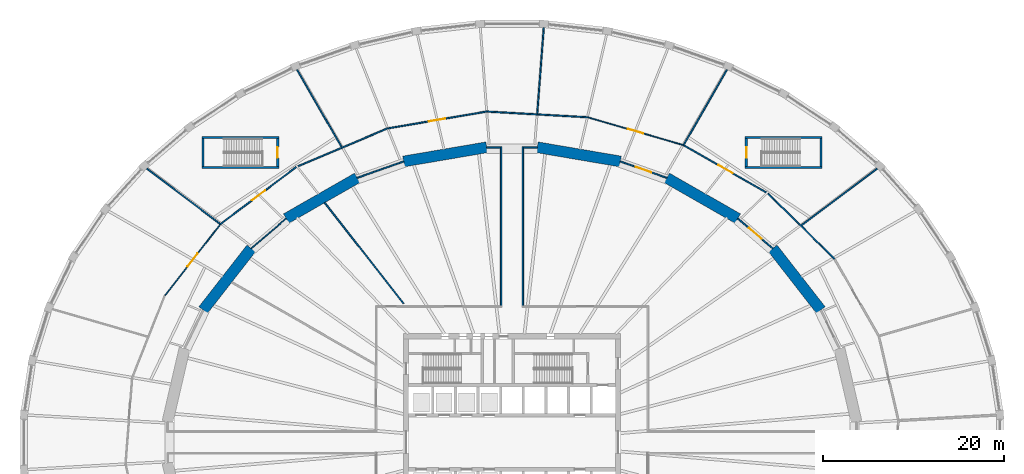
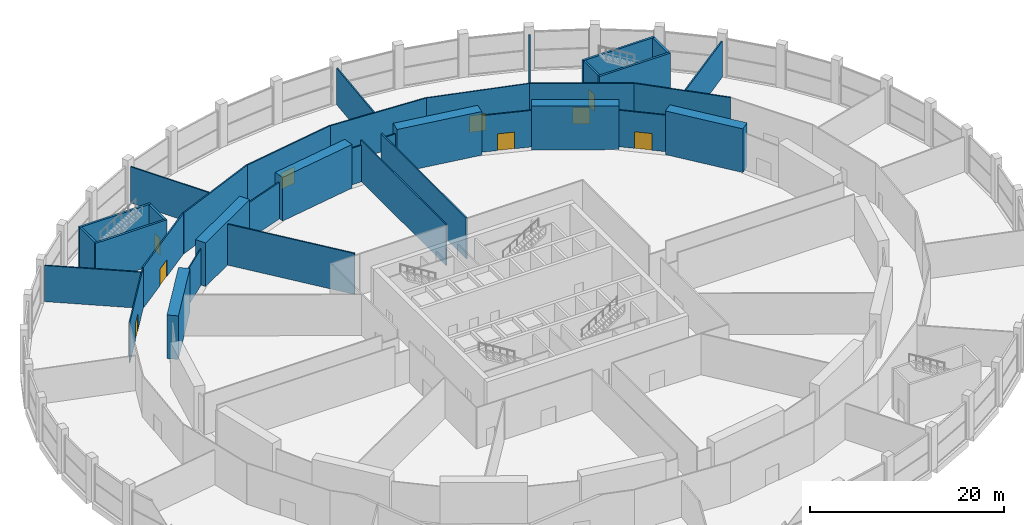
# One storey, part 25 of 29: 36 walls, 9 doors, 9 openings.
"""IFC4 building model written with IfcOpenShell, lengths in metres."""

from ifc_helpers import new_model, si_unit, direction, frame, frame_2d, origin, place, context, subcontext, project, spatial, polyline, rectangle, outline, extrude, material, layer, layer_set, type_object, element, fill, save


model = new_model("IFC4")

# Units and contexts
model_context = context("Model", 3, precision=1e-05, world=origin(), true_north=direction((0.0, 1.0)))
body_context = subcontext(model_context, "Body", "Model", "MODEL_VIEW")
ifc_project = project(units=[si_unit("LENGTHUNIT", "METRE"), si_unit("AREAUNIT", "SQUARE_METRE"), si_unit("VOLUMEUNIT", "CUBIC_METRE"), si_unit("PLANEANGLEUNIT", "RADIAN"), si_unit("MASSUNIT", "GRAM", prefix="KILO")], contexts=[model_context])

# Site, building, storey
site_placement = place(None, origin())
site = spatial("IfcSite", under=ifc_project, at=site_placement, CompositionType="ELEMENT")
building_placement = place(site_placement, origin())
building = spatial("IfcBuilding", under=site, at=building_placement, Name="Halqa Exchange Tower", CompositionType="ELEMENT")
storey_placement = place(building_placement, frame((0.0, 0.0, 7.0)))
storey = spatial("IfcBuildingStorey", under=building, at=storey_placement, Name="L01", CompositionType="ELEMENT", Elevation=7.0)

# Wall
ifc_material_1 = material(Name="Fire-rated gypsum board")
ifc_layer_1 = layer(ifc_material_1, 0.14990234375)
ifc_layer_set_1 = layer_set([ifc_layer_1], Name="Fire-rated gypsum board")
wall_type_1 = type_object("IfcWallType", Name="Fire partition EI 60 150", PredefinedType="PARTITIONING", material=ifc_layer_set_1)
wall_1_placement = place(storey_placement, frame((-40.337646484375, 30.225341796875, 0.0), z_axis=(0.0, 0.0, 1.0), x_axis=(0.79878223103, -0.601620268435, 0.0)))
element("IfcWall", 1, at=wall_1_placement, inside=storey, type_object=wall_type_1, Name="L01-PWL-005", PredefinedType="PARTITIONING", context=body_context, shape_type="SweptSolid", body=[
    extrude(outline(polyline([(-0.011474609375, -0.074951171875), (10.117919921875, -0.074951171875), (10.117919921875, 0.074951171875), (0.011474609375, 0.074951171875), (-0.011474609375, -0.074951171875)])), origin(), (0.0, 0.0, 1.0), 4.550048828125),
])

# Wall, opening, door
wall_2_placement = place(storey_placement, frame((-32.22509765625, 24.068603515625, 0.0), z_axis=(0.0, 0.0, 1.0), x_axis=(0.799199975682, 0.601065220147, 0.0)))
wall_2 = element("IfcWall", 2, at=wall_2_placement, inside=storey, type_object=wall_type_1, Name="L01-PWL-016", PredefinedType="PARTITIONING", context=body_context, shape_type="SweptSolid", body=[
    extrude(rectangle(XDim=10.665771484375, YDim=0.14990234375, at=frame_2d((5.3330078125, 0.0))), origin(), (0.0, 0.0, 1.0), 5.14990234375),
])
opening_1_placement = place(wall_2_placement, frame((4.41796875, 0.0, 0.0)))
opening_1 = element("IfcOpeningElement", 3, at=opening_1_placement, cuts=wall_2, Name="Opening L01-15", PredefinedType="OPENING", context=body_context, shape_type="SweptSolid", body=[
    extrude(rectangle(XDim=1.800048828125, YDim=2.10009765625, at=frame_2d((0.89990234375, 1.050048828125))), frame((0.0, 0.0869140625, 0.0), z_axis=(0.0, -1.0, 0.0), x_axis=(1.0, 0.0, 0.0)), (0.0, 0.0, 1.0), 0.173828125),
])
ifc_material_2 = material(Name="Steel fire door leaf", Category="steel")
door_type_1 = type_object("IfcDoorType", Name="Fire door FD30S double 1800 x 2100", OperationType="DOUBLE_DOOR_SINGLE_SWING", PredefinedType="DOOR", material=ifc_material_2)
door_1_placement = place(opening_1_placement, origin())
door_1 = element("IfcDoor", 4, at=door_1_placement, inside=storey, type_object=door_type_1, Name="L01-IDR-015", OperationType="DOUBLE_DOOR_SINGLE_SWING", OverallHeight=2.10009765625, OverallWidth=1.800048828125, PredefinedType="DOOR", context=body_context, shape_type="SweptSolid", body=[
    extrude(rectangle(XDim=1.800048828125, YDim=2.10009765625, at=frame_2d((0.89990234375, 1.050048828125))), frame((0.0, 0.02490234375, 0.0), z_axis=(0.0, -1.0, 0.0), x_axis=(1.0, 0.0, 0.0)), (0.0, 0.0, 1.0), 0.050048828125),
])
fill(opening_1, door_1)

# Walls
wall_3_placement = place(storey_placement, frame((-23.6865234375, 30.45947265625, 0.0), z_axis=(0.0, 0.0, 1.0), x_axis=(0.921275306177, 0.388911056964, 0.0)))
element("IfcWall", 5, at=wall_3_placement, inside=storey, type_object=wall_type_1, Name="L01-PWL-020", PredefinedType="PARTITIONING", context=body_context, shape_type="SweptSolid", body=[
    extrude(rectangle(XDim=10.873291015625, YDim=0.14990234375, at=frame_2d((5.4365234375, 0.0))), origin(), (0.0, 0.0, 1.0), 5.14990234375),
])
wall_4_placement = place(storey_placement, frame((-23.7451171875, 41.150390625, 0.0), z_axis=(0.0, 0.0, 1.0), x_axis=(0.499854452602, -0.866109419308, 0.0)))
element("IfcWall", 6, at=wall_4_placement, inside=storey, type_object=wall_type_1, Name="L01-PWL-021", PredefinedType="PARTITIONING", context=body_context, shape_type="SweptSolid", body=[
    extrude(outline(polyline([(-0.00927734375, -0.074951171875), (9.8642578125, -0.074951171875), (9.8828125, 0.074951171875), (0.00927734375, 0.074951171875), (-0.00927734375, -0.074951171875)])), origin(), (0.0, 0.0, 1.0), 4.550048828125),
])
wall_5_placement = place(storey_placement, frame((-20.679931640625, 26.449951171875, 0.0), z_axis=(0.0, 0.0, 1.0), x_axis=(0.616462106178, -0.787384576714, 0.0)))
element("IfcWall", 7, at=wall_5_placement, inside=storey, type_object=wall_type_1, Name="L01-PWL-023", PredefinedType="PARTITIONING", context=body_context, shape_type="SweptSolid", body=[
    extrude(outline(polyline([(-0.010986328125, -0.074951171875), (14.119384765625, -0.074951171875), (14.119384765625, 0.074951171875), (0.010986328125, 0.074951171875), (-0.010986328125, -0.074951171875)])), origin(), (0.0, 0.0, 1.0), 5.14990234375),
])

# Wall, opening, door
wall_6_placement = place(storey_placement, frame((-13.660888671875, 34.6669921875, 0.0), z_axis=(0.0, 0.0, 1.0), x_axis=(0.985756237299, 0.168180381217, 0.0)))
wall_6 = element("IfcWall", 8, at=wall_6_placement, inside=storey, type_object=wall_type_1, Name="L01-PWL-034", PredefinedType="PARTITIONING", context=body_context, shape_type="SweptSolid", body=[
    extrude(rectangle(XDim=11.115234375, YDim=0.14990234375, at=frame_2d((5.5576171875, 0.0))), origin(), (0.0, 0.0, 1.0), 5.14990234375),
])
opening_2_placement = place(wall_6_placement, frame((4.55859375, 0.0, 0.0)))
opening_2 = element("IfcOpeningElement", 9, at=opening_2_placement, cuts=wall_6, Name="Opening L01-21", PredefinedType="OPENING", context=body_context, shape_type="SweptSolid", body=[
    extrude(rectangle(XDim=1.800048828125, YDim=2.10009765625, at=frame_2d((0.89990234375, 1.050048828125))), frame((0.0, 0.0869140625, 0.0), z_axis=(0.0, -1.0, 0.0), x_axis=(1.0, 0.0, 0.0)), (0.0, 0.0, 1.0), 0.173828125),
])
door_2_placement = place(opening_2_placement, origin())
door_2 = element("IfcDoor", 10, at=door_2_placement, inside=storey, type_object=door_type_1, Name="L01-IDR-021", OperationType="DOUBLE_DOOR_SINGLE_SWING", OverallHeight=2.10009765625, OverallWidth=1.800048828125, PredefinedType="DOOR", context=body_context, shape_type="SweptSolid", body=[
    extrude(rectangle(XDim=1.800048828125, YDim=2.10009765625, at=frame_2d((0.89990234375, 1.050048828125))), frame((0.0, 0.02490234375, 0.0), z_axis=(0.0, -1.0, 0.0), x_axis=(1.0, 0.0, 0.0)), (0.0, 0.0, 1.0), 0.050048828125),
])
fill(opening_2, door_2)

# Walls
wall_7_placement = place(storey_placement, frame((-11.966796875, 31.01123046875, 0.0), z_axis=(0.0, 0.0, 1.0), x_axis=(-0.942814385805, -0.333318217204, 0.0)))
element("IfcWall", 11, at=wall_7_placement, inside=storey, type_object=wall_type_1, Name="L01-PWL-035", PredefinedType="PARTITIONING", context=body_context, shape_type="SweptSolid", body=[
    extrude(outline(polyline([(-0.012939453125, -0.074951171875), (5.448486328125, -0.074951171875), (5.421142578125, 0.074951171875), (0.012939453125, 0.074951171875), (-0.012939453125, -0.074951171875)])), origin(), (0.0, 0.0, 1.0), 4.60009765625),
])
wall_8_placement = place(storey_placement, frame((-2.70068359375, 36.514404296875, 0.0), z_axis=(0.0, 0.0, 1.0), x_axis=(0.998408109845, -0.056402537138, 0.0)))
element("IfcWall", 12, at=wall_8_placement, inside=storey, type_object=wall_type_1, Name="L01-PWL-040", PredefinedType="PARTITIONING", context=body_context, shape_type="SweptSolid", body=[
    extrude(rectangle(XDim=11.150390625, YDim=0.14990234375, at=frame_2d((5.5751953125, 0.0))), origin(), (0.0, 0.0, 1.0), 5.14990234375),
])
wall_9_placement = place(storey_placement, frame((-1.199951171875, 15.074951171875, 0.0), z_axis=(0.0, 0.0, 1.0), x_axis=(0.0, 1.0, 0.0)))
element("IfcWall", 13, at=wall_9_placement, inside=storey, type_object=wall_type_1, Name="L01-PWL-045", PredefinedType="PARTITIONING", context=body_context, shape_type="SweptSolid", body=[
    extrude(rectangle(XDim=17.570068359375, YDim=0.14990234375, at=frame_2d((8.78515625, 0.0))), origin(), (0.0, 0.0, 1.0), 5.14990234375),
])
wall_10_placement = place(storey_placement, frame((-1.27490234375, 32.570068359375, 0.0), z_axis=(0.0, 0.0, 1.0), x_axis=(-1.0, 0.0, 0.0)))
element("IfcWall", 14, at=wall_10_placement, inside=storey, type_object=wall_type_1, Name="L01-PWL-046", PredefinedType="PARTITIONING", context=body_context, shape_type="SweptSolid", body=[
    extrude(outline(polyline([(0.0, -0.074951171875), (1.52587890625, -0.074951171875), (1.50048828125, 0.074951171875), (0.0, 0.074951171875), (0.0, -0.074951171875)])), origin(), (0.0, 0.0, 1.0), 4.60009765625),
])
wall_11_placement = place(storey_placement, frame((1.199951171875, 32.64501953125, 0.0), z_axis=(0.0, 0.0, 1.0), x_axis=(0.0, -1.0, 0.0)))
element("IfcWall", 15, at=wall_11_placement, inside=storey, type_object=wall_type_1, Name="L01-PWL-050", PredefinedType="PARTITIONING", context=body_context, shape_type="SweptSolid", body=[
    extrude(rectangle(XDim=17.570068359375, YDim=0.14990234375, at=frame_2d((8.78515625, 0.0))), origin(), (0.0, 0.0, 1.0), 5.14990234375),
])
wall_12_placement = place(storey_placement, frame((2.78515625, 36.27880859375, 0.0), z_axis=(0.0, 0.0, 1.0), x_axis=(0.075764074647, 0.997125771903, 0.0)))
element("IfcWall", 16, at=wall_12_placement, inside=storey, type_object=wall_type_1, Name="L01-PWL-051", PredefinedType="PARTITIONING", context=body_context, shape_type="SweptSolid", body=[
    extrude(rectangle(XDim=9.551025390625, YDim=0.14990234375, at=frame_2d((4.775390625, 0.0))), origin(), (0.0, 0.0, 1.0), 4.60009765625),
])
wall_13_placement = place(storey_placement, frame((2.7880859375, 32.570068359375, 0.0), z_axis=(0.0, 0.0, 1.0), x_axis=(-1.0, 0.0, 0.0)))
element("IfcWall", 17, at=wall_13_placement, inside=storey, type_object=wall_type_1, Name="L01-PWL-052", PredefinedType="PARTITIONING", context=body_context, shape_type="SweptSolid", body=[
    extrude(outline(polyline([(-0.0126953125, -0.074951171875), (1.51318359375, -0.074951171875), (1.51318359375, 0.074951171875), (0.0126953125, 0.074951171875), (-0.0126953125, -0.074951171875)])), origin(), (0.0, 0.0, 1.0), 4.60009765625),
])

# Wall, opening, door
wall_14_placement = place(storey_placement, frame((17.0908203125, 29.19970703125, 0.0), z_axis=(0.0, 0.0, 1.0), x_axis=(-0.942814385805, 0.333318217204, 0.0)))
wall_14 = element("IfcWall", 18, at=wall_14_placement, inside=storey, type_object=wall_type_1, Name="L01-PWL-064", PredefinedType="PARTITIONING", context=body_context, shape_type="SweptSolid", body=[
    extrude(outline(polyline([(-0.013671875, -0.074951171875), (5.44775390625, -0.074951171875), (5.421875, 0.074951171875), (0.013671875, 0.074951171875), (-0.013671875, -0.074951171875)])), origin(), (0.0, 0.0, 1.0), 4.60009765625),
])
opening_3_placement = place(wall_14_placement, frame((1.81640625, 0.0, 0.0)))
opening_3 = element("IfcOpeningElement", 19, at=opening_3_placement, cuts=wall_14, Name="Opening L01-04", PredefinedType="OPENING", context=body_context, shape_type="SweptSolid", body=[
    extrude(rectangle(XDim=1.800048828125, YDim=2.10009765625, at=frame_2d((0.89990234375, 1.050048828125))), frame((0.0, 0.0869140625, 0.0), z_axis=(0.0, -1.0, 0.0), x_axis=(1.0, 0.0, 0.0)), (0.0, 0.0, 1.0), 0.173828125),
])
door_3_placement = place(opening_3_placement, origin())
door_3 = element("IfcDoor", 20, at=door_3_placement, inside=storey, type_object=door_type_1, Name="L01-IDR-004", OperationType="DOUBLE_DOOR_SINGLE_SWING", OverallHeight=2.10009765625, OverallWidth=1.800048828125, PredefinedType="DOOR", context=body_context, shape_type="SweptSolid", body=[
    extrude(rectangle(XDim=1.800048828125, YDim=2.10009765625, at=frame_2d((0.89990234375, 1.050048828125))), frame((0.0, 0.02490234375, 0.0), z_axis=(0.0, -1.0, 0.0), x_axis=(1.0, 0.0, 0.0)), (0.0, 0.0, 1.0), 0.050048828125),
])
fill(opening_3, door_3)

# Wall
wall_15_placement = place(storey_placement, frame((18.944091796875, 32.81689453125, 0.0), z_axis=(0.0, 0.0, 1.0), x_axis=(0.499213998788, 0.866478726464, 0.0)))
element("IfcWall", 21, at=wall_15_placement, inside=storey, type_object=wall_type_1, Name="L01-PWL-065", PredefinedType="PARTITIONING", context=body_context, shape_type="SweptSolid", body=[
    extrude(outline(polyline([(0.0, -0.074951171875), (9.626953125, -0.074951171875), (9.6083984375, 0.074951171875), (0.0, 0.074951171875), (0.0, -0.074951171875)])), origin(), (0.0, 0.0, 1.0), 4.550048828125),
])

# Wall, opening, door
wall_16_placement = place(storey_placement, frame((18.941650390625, 32.80908203125, 0.0), z_axis=(0.0, 0.0, 1.0), x_axis=(0.867956168909, -0.49664080466, 0.0)))
wall_16 = element("IfcWall", 22, at=wall_16_placement, inside=storey, type_object=wall_type_1, Name="L01-PWL-066", PredefinedType="PARTITIONING", context=body_context, shape_type="SweptSolid", body=[
    extrude(rectangle(XDim=10.790283203125, YDim=0.14990234375, at=frame_2d((5.39501953125, 0.0))), origin(), (0.0, 0.0, 1.0), 5.14990234375),
])
opening_4_placement = place(wall_16_placement, frame((4.44384765625, 0.0, 0.0)))
opening_4 = element("IfcOpeningElement", 23, at=opening_4_placement, cuts=wall_16, Name="Opening L01-14", PredefinedType="OPENING", context=body_context, shape_type="SweptSolid", body=[
    extrude(rectangle(XDim=1.800048828125, YDim=2.10009765625, at=frame_2d((0.89990234375, 1.050048828125))), frame((0.0, 0.0869140625, 0.0), z_axis=(0.0, -1.0, 0.0), x_axis=(1.0, 0.0, 0.0)), (0.0, 0.0, 1.0), 0.173828125),
])
door_4_placement = place(opening_4_placement, origin())
door_4 = element("IfcDoor", 24, at=door_4_placement, inside=storey, type_object=door_type_1, Name="L01-IDR-014", OperationType="DOUBLE_DOOR_SINGLE_SWING", OverallHeight=2.10009765625, OverallWidth=1.800048828125, PredefinedType="DOOR", context=body_context, shape_type="SweptSolid", body=[
    extrude(rectangle(XDim=1.800048828125, YDim=2.10009765625, at=frame_2d((0.89990234375, 1.050048828125))), frame((0.0, 0.02490234375, 0.0), z_axis=(0.0, -1.0, 0.0), x_axis=(1.0, 0.0, 0.0)), (0.0, 0.0, 1.0), 0.050048828125),
])
fill(opening_4, door_4)

# Wall
wall_17_placement = place(storey_placement, frame((28.293701171875, 27.427978515625, 0.0), z_axis=(0.0, 0.0, 1.0), x_axis=(0.71483918539, -0.699288880958, 0.0)))
element("IfcWall", 25, at=wall_17_placement, inside=storey, type_object=wall_type_1, Name="L01-PWL-069", PredefinedType="PARTITIONING", context=body_context, shape_type="SweptSolid", body=[
    extrude(rectangle(XDim=10.283447265625, YDim=0.14990234375, at=frame_2d((5.1416015625, 0.0))), origin(), (0.0, 0.0, 1.0), 5.14990234375),
])

# Wall, opening, door
wall_18_placement = place(storey_placement, frame((28.789306640625, 21.41064453125, 0.0), z_axis=(0.0, 0.0, 1.0), x_axis=(-0.760084552743, 0.649824185978, 0.0)))
wall_18 = element("IfcWall", 26, at=wall_18_placement, inside=storey, type_object=wall_type_1, Name="L01-PWL-070", PredefinedType="PARTITIONING", context=body_context, shape_type="SweptSolid", body=[
    extrude(outline(polyline([(-0.015380859375, -0.074951171875), (5.089111328125, -0.074951171875), (5.060791015625, 0.074951171875), (0.015380859375, 0.074951171875), (-0.015380859375, -0.074951171875)])), origin(), (0.0, 0.0, 1.0), 4.60009765625),
])
opening_5_placement = place(wall_18_placement, frame((1.63818359375, 0.0, 0.0)))
opening_5 = element("IfcOpeningElement", 27, at=opening_5_placement, cuts=wall_18, Name="Opening L01-03", PredefinedType="OPENING", context=body_context, shape_type="SweptSolid", body=[
    extrude(rectangle(XDim=1.800048828125, YDim=2.10009765625, at=frame_2d((0.89990234375, 1.050048828125))), frame((0.0, 0.0869140625, 0.0), z_axis=(0.0, -1.0, 0.0), x_axis=(1.0, 0.0, 0.0)), (0.0, 0.0, 1.0), 0.173828125),
])
door_5_placement = place(opening_5_placement, origin())
door_5 = element("IfcDoor", 28, at=door_5_placement, inside=storey, type_object=door_type_1, Name="L01-IDR-003", OperationType="DOUBLE_DOOR_SINGLE_SWING", OverallHeight=2.10009765625, OverallWidth=1.800048828125, PredefinedType="DOOR", context=body_context, shape_type="SweptSolid", body=[
    extrude(rectangle(XDim=1.800048828125, YDim=2.10009765625, at=frame_2d((0.89990234375, 1.050048828125))), frame((0.0, 0.02490234375, 0.0), z_axis=(0.0, -1.0, 0.0), x_axis=(1.0, 0.0, 0.0)), (0.0, 0.0, 1.0), 0.050048828125),
])
fill(opening_5, door_5)

# Wall
wall_19_placement = place(storey_placement, frame((40.33740234375, 30.2255859375, 0.0), z_axis=(0.0, 0.0, 1.0), x_axis=(-0.800117504973, -0.599843294732, 0.0)))
element("IfcWall", 29, at=wall_19_placement, inside=storey, type_object=wall_type_1, Name="L01-PWL-083", PredefinedType="PARTITIONING", context=body_context, shape_type="SweptSolid", body=[
    extrude(outline(polyline([(0.011474609375, -0.074951171875), (10.481689453125, -0.074951171875), (10.458740234375, 0.074951171875), (-0.011474609375, 0.074951171875), (0.011474609375, -0.074951171875)])), origin(), (0.0, 0.0, 1.0), 4.550048828125),
])

# Wall, opening, door
ifc_material_3 = material(Name="Fire-rated glazing", Category="glass")
ifc_layer_2 = layer(ifc_material_3, 0.1201171875)
ifc_layer_set_2 = layer_set([ifc_layer_2], Name="Fire-rated glazing")
wall_type_2 = type_object("IfcWallType", Name="Glazed fire partition EI 60 120", PredefinedType="PARTITIONING", material=ifc_layer_set_2)
wall_20_placement = place(storey_placement, frame((-38.3076171875, 16.2275390625, 0.0), z_axis=(0.0, 0.0, 1.0), x_axis=(0.614374815397, 0.789014313055, 0.0)))
wall_20 = element("IfcWall", 30, at=wall_20_placement, inside=storey, type_object=wall_type_2, Name="L01-PWL-008", PredefinedType="PARTITIONING", context=body_context, shape_type="SweptSolid", body=[
    extrude(rectangle(XDim=9.924072265625, YDim=0.1201171875, at=frame_2d((4.9619140625, 0.0))), origin(), (0.0, 0.0, 1.0), 5.14990234375),
])
opening_6_placement = place(wall_20_placement, frame((4.05224609375, 0.0, 0.0)))
opening_6 = element("IfcOpeningElement", 31, at=opening_6_placement, cuts=wall_20, Name="Opening L01-22", PredefinedType="OPENING", context=body_context, shape_type="SweptSolid", body=[
    extrude(rectangle(XDim=1.800048828125, YDim=2.10009765625, at=frame_2d((0.89990234375, 1.050048828125))), frame((0.0, 0.072021484375, 0.0), z_axis=(0.0, -1.0, 0.0), x_axis=(1.0, 0.0, 0.0)), (0.0, 0.0, 1.0), 0.14404296875),
])
door_6_placement = place(opening_6_placement, origin())
door_6 = element("IfcDoor", 32, at=door_6_placement, inside=storey, type_object=door_type_1, Name="L01-IDR-022", OperationType="DOUBLE_DOOR_SINGLE_SWING", OverallHeight=2.10009765625, OverallWidth=1.800048828125, PredefinedType="DOOR", context=body_context, shape_type="SweptSolid", body=[
    extrude(rectangle(XDim=1.800048828125, YDim=2.10009765625, at=frame_2d((0.89990234375, 1.050048828125))), frame((0.0, 0.02490234375, 0.0), z_axis=(0.0, -1.0, 0.0), x_axis=(1.0, 0.0, 0.0)), (0.0, 0.0, 1.0), 0.050048828125),
])
fill(opening_6, door_6)

# Wall
wall_21_placement = place(storey_placement, frame((-24.931884765625, 24.70849609375, 0.0), z_axis=(0.0, 0.0, 1.0), x_axis=(-0.760084552743, -0.649824185978, 0.0)))
element("IfcWall", 33, at=wall_21_placement, inside=storey, type_object=wall_type_2, Name="L01-PWL-019", PredefinedType="PARTITIONING", context=body_context, shape_type="SweptSolid", body=[
    extrude(outline(polyline([(-0.011474609375, -0.06005859375), (5.087158203125, -0.06005859375), (5.062744140625, 0.06005859375), (0.011474609375, 0.06005859375), (-0.011474609375, -0.06005859375)])), origin(), (0.0, 0.0, 1.0), 4.60009765625),
])

# Wall, opening, door
wall_22_placement = place(storey_placement, frame((8.43017578125, 35.86669921875, 0.0), z_axis=(0.0, 0.0, 1.0), x_axis=(0.960213020848, -0.279268606532, 0.0)))
wall_22 = element("IfcWall", 34, at=wall_22_placement, inside=storey, type_object=wall_type_2, Name="L01-PWL-053", PredefinedType="PARTITIONING", context=body_context, shape_type="SweptSolid", body=[
    extrude(rectangle(XDim=10.94775390625, YDim=0.1201171875, at=frame_2d((5.473876953125, 0.0))), origin(), (0.0, 0.0, 1.0), 5.14990234375),
])
opening_7_placement = place(wall_22_placement, frame((4.531005859375, 0.0, 0.0)))
opening_7 = element("IfcOpeningElement", 35, at=opening_7_placement, cuts=wall_22, Name="Opening L01-20", PredefinedType="OPENING", context=body_context, shape_type="SweptSolid", body=[
    extrude(rectangle(XDim=1.800048828125, YDim=2.10009765625, at=frame_2d((0.89990234375, 1.050048828125))), frame((0.0, 0.072021484375, 0.0), z_axis=(0.0, -1.0, 0.0), x_axis=(1.0, 0.0, 0.0)), (0.0, 0.0, 1.0), 0.14404296875),
])
door_7_placement = place(opening_7_placement, origin())
door_7 = element("IfcDoor", 36, at=door_7_placement, inside=storey, type_object=door_type_1, Name="L01-IDR-020", OperationType="DOUBLE_DOOR_SINGLE_SWING", OverallHeight=2.10009765625, OverallWidth=1.800048828125, PredefinedType="DOOR", context=body_context, shape_type="SweptSolid", body=[
    extrude(rectangle(XDim=1.800048828125, YDim=2.10009765625, at=frame_2d((0.89990234375, 1.050048828125))), frame((0.0, 0.02490234375, 0.0), z_axis=(0.0, -1.0, 0.0), x_axis=(1.0, 0.0, 0.0)), (0.0, 0.0, 1.0), 0.050048828125),
])
fill(opening_7, door_7)

# Walls
ifc_material_4 = material(Name="Concrete C80/95", Category="concrete")
ifc_layer_3 = layer(ifc_material_4, 1.199951171875)
ifc_layer_set_3 = layer_set([ifc_layer_3], Name="Concrete C80/95")
wall_type_3 = type_object("IfcWallType", Name="RC ring pier 1200 C80/95", PredefinedType="SHEAR", material=ifc_layer_set_3)
wall_23_placement = place(storey_placement, frame((34.09716796875, 14.60498046875, 0.0), z_axis=(0.0, 0.0, 1.0), x_axis=(-0.614825322247, 0.788663314174, 0.0)))
element("IfcWall", 37, at=wall_23_placement, inside=storey, type_object=wall_type_3, Name="Ring pier 2", PredefinedType="SHEAR", context=body_context, shape_type="SweptSolid", body=[
    extrude(rectangle(XDim=8.631591796875, YDim=1.199951171875, at=frame_2d((4.31591796875, 0.0))), origin(), (0.0, 0.0, 1.0), 5.5),
])
wall_24_placement = place(storey_placement, frame((24.931396484375, 24.705810546875, 0.0), z_axis=(0.0, 0.0, 1.0), x_axis=(-0.867760656864, 0.496982336103, 0.0)))
element("IfcWall", 38, at=wall_24_placement, inside=storey, type_object=wall_type_3, Name="Ring pier 3", PredefinedType="SHEAR", context=body_context, shape_type="SweptSolid", body=[
    extrude(rectangle(XDim=9.037841796875, YDim=1.199951171875, at=frame_2d((4.51904296875, 0.0))), origin(), (0.0, 0.0, 1.0), 5.5),
])
for number, where, z_axis, x_axis, name in (
    (39, (11.96728515625, 31.00927734375, 0.0), (0.0, 0.0, 1.0), (-0.985776286846, 0.168062822456, 0.0), "Ring pier 4"),
    (40, (-2.7880859375, 32.57421875, 0.0), (0.0, 0.0, 1.0), (-0.985776286846, -0.168062822456, 0.0), "Ring pier 5"),
):
    element("IfcWall", number, at=place(storey_placement, frame(where, z_axis=z_axis, x_axis=x_axis)), inside=storey, type_object=wall_type_3, Name=name, PredefinedType="SHEAR", context=body_context, shape_type="SweptSolid", body=[
        extrude(rectangle(XDim=9.3115234375, YDim=1.199951171875, at=frame_2d((4.65576171875, 0.0))), origin(), (0.0, 0.0, 1.0), 5.5),
    ])
wall_25_placement = place(storey_placement, frame((-17.088623046875, 29.197509765625, 0.0), z_axis=(0.0, 0.0, 1.0), x_axis=(-0.867760656864, -0.496982336103, 0.0)))
element("IfcWall", 41, at=wall_25_placement, inside=storey, type_object=wall_type_3, Name="Ring pier 6", PredefinedType="SHEAR", context=body_context, shape_type="SweptSolid", body=[
    extrude(rectangle(XDim=9.037841796875, YDim=1.199951171875, at=frame_2d((4.51904296875, 0.0))), origin(), (0.0, 0.0, 1.0), 5.5),
])
wall_26_placement = place(storey_placement, frame((-28.790283203125, 21.412353515625, 0.0), z_axis=(0.0, 0.0, 1.0), x_axis=(-0.614825322247, -0.788663314174, 0.0)))
element("IfcWall", 42, at=wall_26_placement, inside=storey, type_object=wall_type_3, Name="Ring pier 7", PredefinedType="SHEAR", context=body_context, shape_type="SweptSolid", body=[
    extrude(rectangle(XDim=8.631591796875, YDim=1.199951171875, at=frame_2d((4.31591796875, 0.0))), origin(), (0.0, 0.0, 1.0), 5.5),
])
ifc_material_5 = material(Name="Concrete C30/37", Category="concrete")
ifc_layer_4 = layer(ifc_material_5, 0.25)
ifc_layer_set_4 = layer_set([ifc_layer_4], Name="Concrete C30/37")
wall_type_4 = type_object("IfcWallType", Name="RC stair wall 250 C30/37", PredefinedType="SHEAR", material=ifc_layer_set_4)
for number, where, z_axis, x_axis, name in (
    (43, (25.75, 33.64990234375, 0.0), (0.0, 0.0, 1.0), (1.0, 0.0, 0.0), "Stair PS1 wall north"),
    (44, (25.75, 30.35009765625, 0.0), (0.0, 0.0, 1.0), (1.0, 0.0, 0.0), "Stair PS1 wall south"),
):
    element("IfcWall", number, at=place(storey_placement, frame(where, z_axis=z_axis, x_axis=x_axis)), inside=storey, type_object=wall_type_4, Name=name, PredefinedType="SHEAR", context=body_context, shape_type="SweptSolid", body=[
        extrude(rectangle(XDim=8.5, YDim=0.25, at=frame_2d((4.25, 0.0))), origin(), (0.0, 0.0, 1.0), 5.14990234375),
    ])

# Wall, opening, door
wall_27_placement = place(storey_placement, frame((25.875, 30.47509765625, 0.0), z_axis=(0.0, 0.0, 1.0), x_axis=(0.0, 1.0, 0.0)))
wall_27 = element("IfcWall", 45, at=wall_27_placement, inside=storey, type_object=wall_type_4, Name="Stair PS1 wall west", PredefinedType="SHEAR", context=body_context, shape_type="SweptSolid", body=[
    extrude(rectangle(XDim=3.0498046875, YDim=0.25, at=frame_2d((1.52490234375, 0.0))), origin(), (0.0, 0.0, 1.0), 5.14990234375),
])
opening_8_placement = place(wall_27_placement, frame((0.925048828125, 0.0, 0.0)))
opening_8 = element("IfcOpeningElement", 46, at=opening_8_placement, cuts=wall_27, Name="Opening L01-C15", PredefinedType="OPENING", context=body_context, shape_type="SweptSolid", body=[
    extrude(rectangle(XDim=1.199951171875, YDim=2.10009765625, at=frame_2d((0.60009765625, 1.050048828125))), frame((0.0, 0.136962890625, 0.0), z_axis=(0.0, -1.0, 0.0), x_axis=(1.0, 0.0, 0.0)), (0.0, 0.0, 1.0), 0.27392578125),
])
door_type_2 = type_object("IfcDoorType", Name="Stair door FD90 1200 x 2100", OperationType="SINGLE_SWING_LEFT", PredefinedType="DOOR", material=ifc_material_2)
door_8_placement = place(opening_8_placement, origin())
door_8 = element("IfcDoor", 47, at=door_8_placement, inside=storey, type_object=door_type_2, Name="Stair door PS1", OperationType="SINGLE_SWING_RIGHT", OverallHeight=2.10009765625, OverallWidth=1.199951171875, PredefinedType="DOOR", context=body_context, shape_type="SweptSolid", body=[
    extrude(rectangle(XDim=1.199951171875, YDim=2.10009765625, at=frame_2d((0.60009765625, 1.050048828125))), frame((0.0, 0.02490234375, 0.0), z_axis=(0.0, -1.0, 0.0), x_axis=(1.0, 0.0, 0.0)), (0.0, 0.0, 1.0), 0.050048828125),
])
fill(opening_8, door_8)

# Walls
wall_28_placement = place(storey_placement, frame((34.125, 30.47509765625, 0.0), z_axis=(0.0, 0.0, 1.0), x_axis=(0.0, 1.0, 0.0)))
element("IfcWall", 48, at=wall_28_placement, inside=storey, type_object=wall_type_4, Name="Stair PS1 wall east", PredefinedType="SHEAR", context=body_context, shape_type="SweptSolid", body=[
    extrude(rectangle(XDim=3.0498046875, YDim=0.25, at=frame_2d((1.52490234375, 0.0))), origin(), (0.0, 0.0, 1.0), 5.14990234375),
])
for number, where, z_axis, x_axis, name in (
    (49, (-34.25, 33.64990234375, 0.0), (0.0, 0.0, 1.0), (1.0, 0.0, 0.0), "Stair PS3 wall north"),
    (50, (-34.25, 30.35009765625, 0.0), (0.0, 0.0, 1.0), (1.0, 0.0, 0.0), "Stair PS3 wall south"),
):
    element("IfcWall", number, at=place(storey_placement, frame(where, z_axis=z_axis, x_axis=x_axis)), inside=storey, type_object=wall_type_4, Name=name, PredefinedType="SHEAR", context=body_context, shape_type="SweptSolid", body=[
        extrude(rectangle(XDim=8.5, YDim=0.25, at=frame_2d((4.25, 0.0))), origin(), (0.0, 0.0, 1.0), 5.14990234375),
    ])
wall_29_placement = place(storey_placement, frame((-34.125, 30.47509765625, 0.0), z_axis=(0.0, 0.0, 1.0), x_axis=(0.0, 1.0, 0.0)))
element("IfcWall", 51, at=wall_29_placement, inside=storey, type_object=wall_type_4, Name="Stair PS3 wall west", PredefinedType="SHEAR", context=body_context, shape_type="SweptSolid", body=[
    extrude(rectangle(XDim=3.0498046875, YDim=0.25, at=frame_2d((1.52490234375, 0.0))), origin(), (0.0, 0.0, 1.0), 5.14990234375),
])

# Wall, opening, door
wall_30_placement = place(storey_placement, frame((-25.875, 30.47509765625, 0.0), z_axis=(0.0, 0.0, 1.0), x_axis=(0.0, 1.0, 0.0)))
wall_30 = element("IfcWall", 52, at=wall_30_placement, inside=storey, type_object=wall_type_4, Name="Stair PS3 wall east", PredefinedType="SHEAR", context=body_context, shape_type="SweptSolid", body=[
    extrude(rectangle(XDim=3.0498046875, YDim=0.25, at=frame_2d((1.52490234375, 0.0))), origin(), (0.0, 0.0, 1.0), 5.14990234375),
])
opening_9_placement = place(wall_30_placement, frame((0.925048828125, 0.0, 0.0)))
opening_9 = element("IfcOpeningElement", 53, at=opening_9_placement, cuts=wall_30, Name="Opening L01-C17", PredefinedType="OPENING", context=body_context, shape_type="SweptSolid", body=[
    extrude(rectangle(XDim=1.199951171875, YDim=2.10009765625, at=frame_2d((0.60009765625, 1.050048828125))), frame((0.0, 0.136962890625, 0.0), z_axis=(0.0, -1.0, 0.0), x_axis=(1.0, 0.0, 0.0)), (0.0, 0.0, 1.0), 0.27392578125),
])
door_9_placement = place(opening_9_placement, origin())
door_9 = element("IfcDoor", 54, at=door_9_placement, inside=storey, type_object=door_type_2, Name="Stair door PS3", OperationType="SINGLE_SWING_LEFT", OverallHeight=2.10009765625, OverallWidth=1.199951171875, PredefinedType="DOOR", context=body_context, shape_type="SweptSolid", body=[
    extrude(rectangle(XDim=1.199951171875, YDim=2.10009765625, at=frame_2d((0.60009765625, 1.050048828125))), frame((0.0, 0.02490234375, 0.0), z_axis=(0.0, -1.0, 0.0), x_axis=(1.0, 0.0, 0.0)), (0.0, 0.0, 1.0), 0.050048828125),
])
fill(opening_9, door_9)

save(model, "model.ifc")
